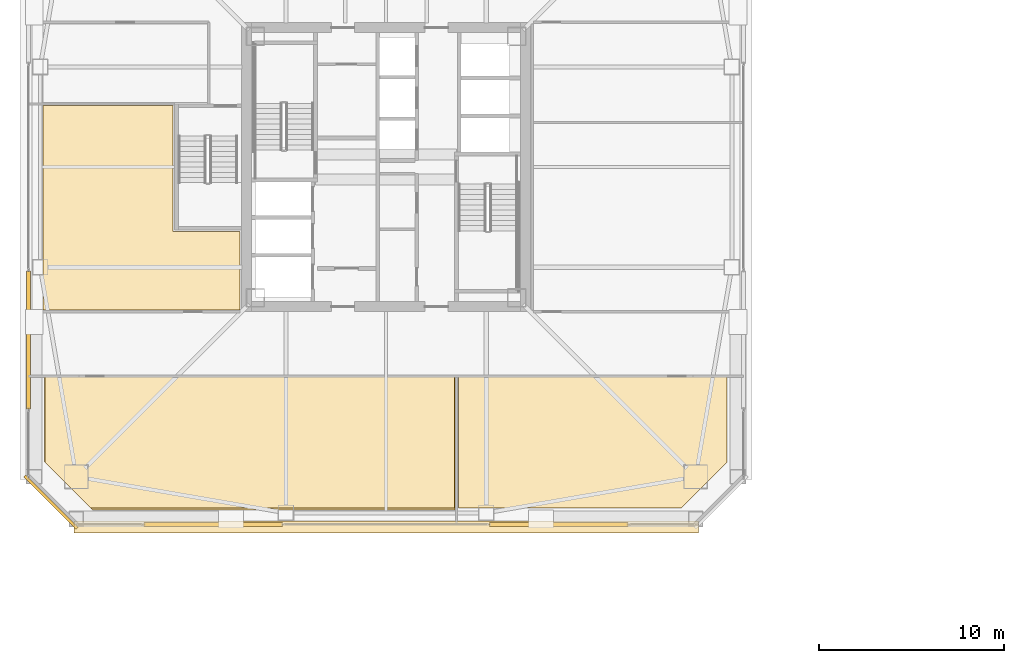
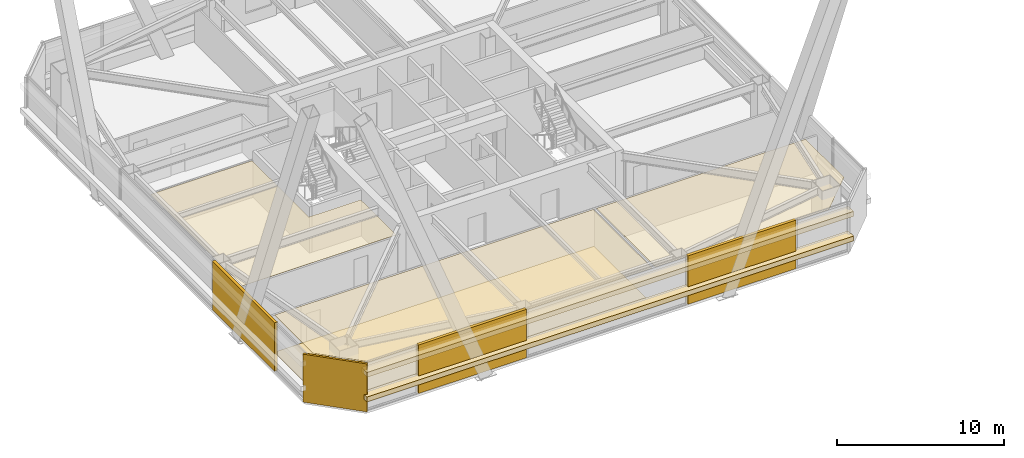
# One storey, part 49 of 54: 10 coverings.
"""IFC4 building model written with IfcOpenShell, lengths in metres."""

from ifc_helpers import new_model, si_unit, direction, frame, origin, origin_2d, place, context, subcontext, project, spatial, polyline, rectangle, outline, extrude, material, layer, layer_set, type_object, element, save


model = new_model("IFC4")

# Units and contexts
model_context = context("Model", 3, precision=1e-05, world=origin(), true_north=direction((0.0, 1.0)))
body_context = subcontext(model_context, "Body", "Model", "MODEL_VIEW")
ifc_project = project(units=[si_unit("LENGTHUNIT", "METRE"), si_unit("AREAUNIT", "SQUARE_METRE"), si_unit("VOLUMEUNIT", "CUBIC_METRE"), si_unit("PLANEANGLEUNIT", "RADIAN"), si_unit("MASSUNIT", "GRAM", prefix="KILO")], contexts=[model_context])

# Site, building, storey
site_placement = place(None, origin())
site = spatial("IfcSite", under=ifc_project, at=site_placement, CompositionType="ELEMENT")
building_placement = place(site_placement, origin())
building = spatial("IfcBuilding", under=site, at=building_placement, Name="Tashvorn Skyway Center", CompositionType="ELEMENT")
storey_placement = place(building_placement, frame((0.0, 0.0, 135.699951171875)))
storey = spatial("IfcBuildingStorey", under=building, at=storey_placement, Name="L36", CompositionType="ELEMENT", Elevation=135.699951171875)

# Coverings
ifc_material_1 = material(Name="Precast concrete C40/50", Category="concrete")
ifc_layer_1 = layer(ifc_material_1, 0.199951171875)
ifc_layer_set_1 = layer_set([ifc_layer_1], Name="Precast concrete C40/50")
covering_type_1 = type_object("IfcCoveringType", Name="COV-BRACE-CLAD", PredefinedType="CLADDING", material=ifc_layer_set_1)
for number, where, z_axis, x_axis, name in (
    (1, (51.322265625, 12.719970703125, 0.0), (0.0, 0.0, 1.0), (-1.0, 0.0, 0.0), "Tower 1 L36 South Unitised Curtain Wall Mega-Brace Cladding Band 1"),
    (2, (32.677734375, 12.719970703125, 0.0), (0.0, 0.0, 1.0), (-1.0, 0.0, 0.0), "Tower 1 L36 South Unitised Curtain Wall Mega-Brace Cladding Band 2"),
    (3, (22.719970703125, 22.677734375, 0.0), (0.0, 0.0, 1.0), (0.0, 1.0, 0.0), "Tower 1 L36 West Unitised Curtain Wall Mega-Brace Cladding Band 1"),
):
    element("IfcCovering", number, at=place(storey_placement, frame(where, z_axis=z_axis, x_axis=x_axis)), inside=storey, type_object=covering_type_1, Name=name, PredefinedType="CLADDING", context=body_context, shape_type="SweptSolid", body=[
        extrude(rectangle(XDim=7.457763671875, YDim=0.199951171875, at=origin_2d()), origin(), (0.0, 0.0, 1.0), 3.550048828125),
    ])
ifc_material_2 = material(Name="Mineral-fibre acoustic ceiling tile on suspended grid")
ifc_layer_2 = layer(ifc_material_2, 0.02001953125)
ifc_layer_set_2 = layer_set([ifc_layer_2], Name="Mineral-fibre acoustic ceiling tile on suspended grid")
covering_type_2 = type_object("IfcCoveringType", Name="COV-CEIL-20", PredefinedType="CEILING", material=ifc_layer_set_2)
covering_1_placement = place(storey_placement, frame((0.0, 0.0, 2.703125)))
element("IfcCovering", 4, at=covering_1_placement, inside=storey, type_object=covering_type_2, Name="Tower 1 L36 Executive Study Lounge Acoustic Ceiling", PredefinedType="CEILING", context=body_context, shape_type="SweptSolid", body=[
    extrude(outline(polyline([(23.6201171875, 20.68994140625), (45.679931640625, 20.68994140625), (45.679931640625, 13.6201171875), (26.080078125, 13.6201171875), (23.6201171875, 16.080078125), (23.6201171875, 20.68994140625)])), origin(), (0.0, 0.0, 1.0), 0.02001953125),
])
covering_2_placement = place(storey_placement, frame((0.0, 0.0, 2.703125)))
element("IfcCovering", 5, at=covering_2_placement, inside=storey, type_object=covering_type_2, Name="Tower 1 L36 Reading Lounge Acoustic Ceiling", PredefinedType="CEILING", context=body_context, shape_type="SweptSolid", body=[
    extrude(outline(polyline([(45.919921875, 13.6201171875), (45.919921875, 20.68994140625), (60.3798828125, 20.68994140625), (60.3798828125, 16.080078125), (57.919921875, 13.6201171875), (45.919921875, 13.6201171875)])), origin(), (0.0, 0.0, 1.0), 0.02001953125),
])
covering_3_placement = place(storey_placement, frame((0.0, 0.0, 2.703125)))
element("IfcCovering", 6, at=covering_3_placement, inside=storey, type_object=covering_type_2, Name="Tower 1 L36 Public Restroom Acoustic Ceiling", PredefinedType="CEILING", context=body_context, shape_type="SweptSolid", body=[
    extrude(outline(polyline([(34.1201171875, 24.280029296875), (23.5, 24.280029296875), (23.5, 28.52001953125), (23.5, 35.320068359375), (30.52001953125, 35.320068359375), (30.52001953125, 28.52001953125), (34.1201171875, 28.52001953125), (34.1201171875, 24.280029296875)])), origin(), (0.0, 0.0, 1.0), 0.02001953125),
])
ifc_material_3 = material(Name="Polished Mojave desert-aggregate terrazzo and cover plate")
ifc_layer_3 = layer(ifc_material_3, 0.0400390625)
ifc_layer_set_3 = layer_set([ifc_layer_3], Name="Polished Mojave desert-aggregate terrazzo and cover plate")
covering_type_3 = type_object("IfcCoveringType", Name="COV-FLR-40", PredefinedType="FLOORING", material=ifc_layer_set_3)
covering_4_placement = place(storey_placement, origin())
element("IfcCovering", 7, at=covering_4_placement, inside=storey, type_object=covering_type_3, Name="Tower 1 L36 Executive Study Lounge Finish Flooring", PredefinedType="FLOORING", context=body_context, shape_type="SweptSolid", body=[
    extrude(outline(polyline([(26.199951171875, 13.5), (23.580078125, 16.1201171875), (23.580078125, 20.64990234375), (45.719970703125, 20.64990234375), (45.719970703125, 13.5), (26.199951171875, 13.5)])), origin(), (0.0, 0.0, 1.0), 0.0400390625),
])
ifc_material_4 = material(Name="Perforated ceramic-coated bronze aluminium solar screen", Category="aluminium")
ifc_layer_4 = layer(ifc_material_4, 0.85009765625)
ifc_layer_set_4 = layer_set([ifc_layer_4], Name="Perforated ceramic-coated bronze aluminium solar screen")
covering_type_4 = type_object("IfcCoveringType", Name="COV-SOLAR-BAND", PredefinedType="CLADDING", material=ifc_layer_set_4)
for number, where, z_axis, x_axis, name in (
    (8, (42.0, 12.580078125, 0.919921875), (0.0, 0.0, 1.0), (-1.0, 0.0, 0.0), "L36 Perforated Ceramic-Metal Solar Screen Louvre Band South 1"),
    (9, (42.0, 12.580078125, 2.72021484375), (0.0, 0.0, 1.0), (-1.0, 0.0, 0.0), "L36 Perforated Ceramic-Metal Solar Screen Louvre Band South 2"),
):
    element("IfcCovering", number, at=place(storey_placement, frame(where, z_axis=z_axis, x_axis=x_axis)), inside=storey, type_object=covering_type_4, Name=name, PredefinedType="CLADDING", context=body_context, shape_type="SweptSolid", body=[
        extrude(rectangle(XDim=33.679931640625, YDim=0.639892578125, at=origin_2d()), origin(), (0.0, 0.0, 1.0), 0.360107421875),
    ])
ifc_layer_5 = layer(ifc_material_1, 0.35009765625)
ifc_layer_set_5 = layer_set([ifc_layer_5], Name="Precast concrete C40/50")
covering_type_5 = type_object("IfcCoveringType", Name="COV-STONE-TRIM", PredefinedType="CLADDING", material=ifc_layer_set_5)
covering_5_placement = place(storey_placement, frame((23.929931640625, 13.929931640625, 0.02001953125), z_axis=(0.0, 0.0, 1.0), x_axis=(-0.707106781187, 0.707106781187, 0.0)))
element("IfcCovering", 10, at=covering_5_placement, inside=storey, type_object=covering_type_5, Name="Tower 1 L36 SW Mojave Limestone Corner Quoin", PredefinedType="CLADDING", context=body_context, shape_type="SweptSolid", body=[
    extrude(rectangle(XDim=3.978515625, YDim=0.139892578125, at=origin_2d()), origin(), (0.0, 0.0, 1.0), 3.510009765625),
])

save(model, "model.ifc")
